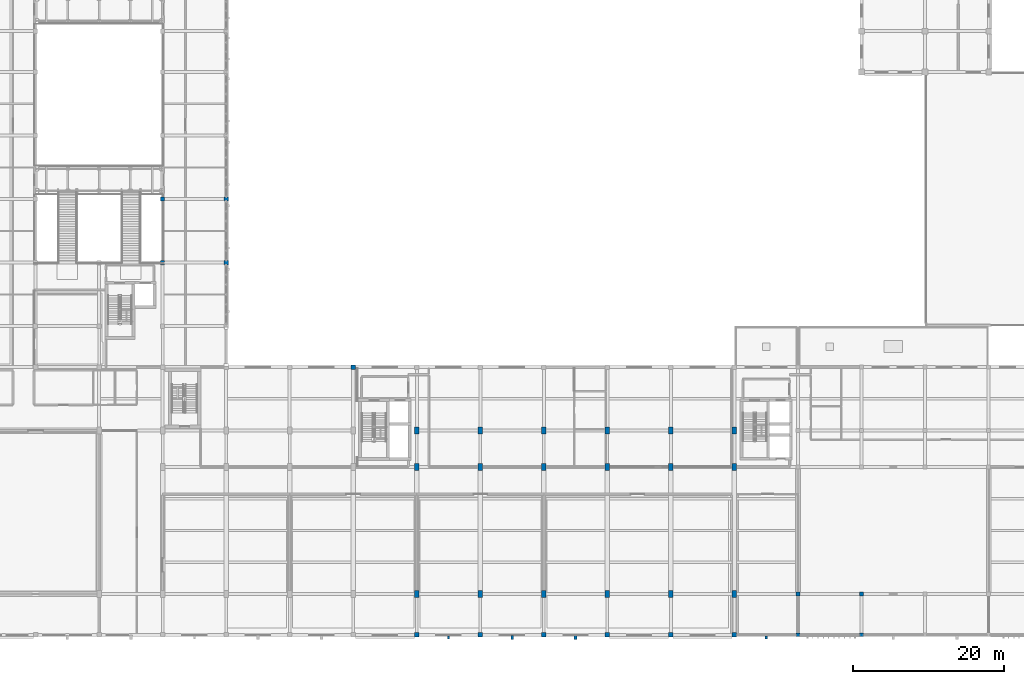
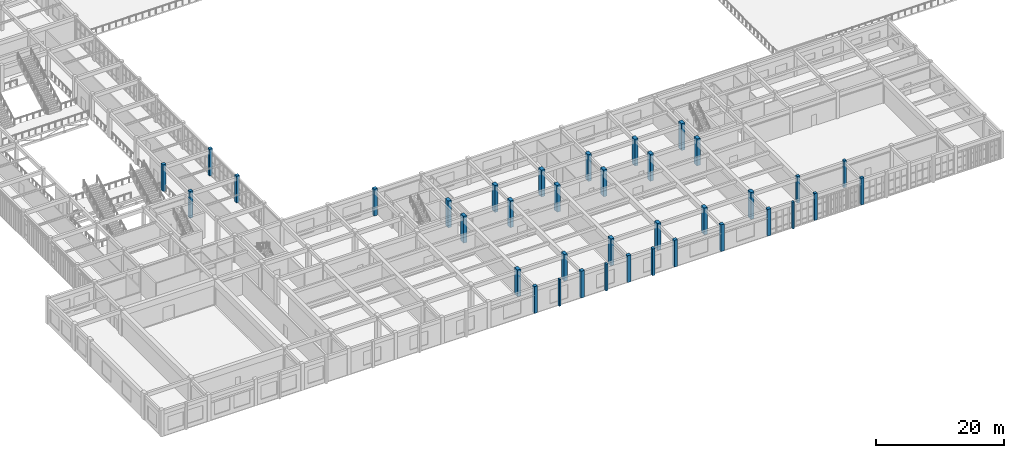
# One storey, part 8 of 93: 37 columns.
"""IFC4 building model written with IfcOpenShell, lengths in metres."""

from ifc_helpers import new_model, si_unit, direction, frame, origin, origin_2d, place, context, subcontext, project, spatial, rectangle, extrude, material, material_profile, profile_set, type_object, element, save


model = new_model("IFC4")

# Units and contexts
model_context = context("Model", 3, precision=1e-05, world=origin(), true_north=direction((0.0, 1.0)))
body_context = subcontext(model_context, "Body", "Model", "MODEL_VIEW")
ifc_project = project(units=[si_unit("LENGTHUNIT", "METRE"), si_unit("AREAUNIT", "SQUARE_METRE"), si_unit("VOLUMEUNIT", "CUBIC_METRE"), si_unit("PLANEANGLEUNIT", "RADIAN"), si_unit("MASSUNIT", "GRAM", prefix="KILO")], contexts=[model_context])

# Site, building, storey
site_placement = place(None, origin())
site = spatial("IfcSite", under=ifc_project, at=site_placement, CompositionType="ELEMENT")
building_placement = place(site_placement, origin())
building = spatial("IfcBuilding", under=site, at=building_placement, Name="Krzemoval Escarpment Law Courts", CompositionType="ELEMENT")
storey_placement = place(building_placement, frame((0.0, 0.0, 10.199951171875)))
storey = spatial("IfcBuildingStorey", under=building, at=storey_placement, Name="L02", CompositionType="ELEMENT", Elevation=10.199951171875)

# Columns
ifc_material_1 = material(Name="Concrete C40/50", Category="concrete")
ifc_material_profile_1 = material_profile(ifc_material_1, rectangle(XDim=0.5, YDim=0.5, at=origin_2d()), Name="RC 500x500")
ifc_profile_set_1 = profile_set([ifc_material_profile_1], Name="Concrete C40/50")
column_type_1 = type_object("IfcColumnType", Name="COL-RC-500", PredefinedType="COLUMN", material=ifc_profile_set_1)
for number, where, z_axis, x_axis, name in (
    (1, (117.60009765625, 0.0, 0.0), (0.0, 0.0, 1.0), (1.0, 0.0, 0.0), "Column FC-L02-0924"),
    (2, (117.60009765625, 5.39990234375, 0.0), (0.0, 0.0, 1.0), (1.0, 0.0, 0.0), "Column FC-L02-0925"),
    (3, (126.0, 0.0, 0.0), (0.0, 0.0, 1.0), (1.0, 0.0, 0.0), "Column FC-L02-0929"),
    (4, (126.0, 5.39990234375, 0.0), (0.0, 0.0, 1.0), (1.0, 0.0, 0.0), "Column FC-L02-0930"),
):
    element("IfcColumn", number, at=place(storey_placement, frame(where, z_axis=z_axis, x_axis=x_axis)), inside=storey, type_object=column_type_1, Name=name, PredefinedType="COLUMN", context=body_context, shape_type="SweptSolid", body=[
        extrude(rectangle(XDim=0.5, YDim=0.5, at=origin_2d()), origin(), (0.0, 0.0, 1.0), 5.10009765625),
    ])
ifc_material_2 = material(Name="Concrete C40/50", Category="concrete")
ifc_material_profile_2 = material_profile(ifc_material_2, rectangle(XDim=0.550048828125, YDim=0.550048828125, at=origin_2d()), Name="RC 550x550")
ifc_profile_set_2 = profile_set([ifc_material_profile_2], Name="Concrete C40/50")
column_type_2 = type_object("IfcColumnType", Name="COL-RC-550", PredefinedType="COLUMN", material=ifc_profile_set_2)
for number, where, z_axis, x_axis, name in (
    (5, (33.60009765625, 49.199951171875, 0.0), (0.0, 0.0, 1.0), (1.0, 0.0, 0.0), "Column FC-L02-0858"),
    (6, (33.60009765625, 57.60009765625, 0.0), (0.0, 0.0, 1.0), (1.0, 0.0, 0.0), "Column FC-L02-0859"),
    (7, (42.0, 49.199951171875, 0.0), (0.0, 0.0, 1.0), (1.0, 0.0, 0.0), "Column FC-L02-0874"),
    (8, (42.0, 57.60009765625, 0.0), (0.0, 0.0, 1.0), (1.0, 0.0, 0.0), "Column FC-L02-0875"),
):
    element("IfcColumn", number, at=place(storey_placement, frame(where, z_axis=z_axis, x_axis=x_axis)), inside=storey, type_object=column_type_2, Name=name, PredefinedType="COLUMN", context=body_context, shape_type="SweptSolid", body=[
        extrude(rectangle(XDim=0.550048828125, YDim=0.550048828125, at=origin_2d()), origin(), (0.0, 0.0, 1.0), 5.10009765625),
    ])
ifc_material_3 = material(Name="Concrete C40/50", Category="concrete")
ifc_material_profile_3 = material_profile(ifc_material_3, rectangle(XDim=0.60009765625, YDim=0.60009765625, at=origin_2d()), Name="RC 600x600")
ifc_profile_set_3 = profile_set([ifc_material_profile_3], Name="Concrete C40/50")
column_type_3 = type_object("IfcColumnType", Name="COL-RC-600", PredefinedType="COLUMN", material=ifc_profile_set_3)
for number, where, z_axis, x_axis, name in (
    (9, (58.800048828125, 35.39990234375, 0.0), (0.0, 0.0, 1.0), (1.0, 0.0, 0.0), "Column FC-L02-0893"),
    (10, (67.199951171875, 0.0, 0.0), (0.0, 0.0, 1.0), (1.0, 0.0, 0.0), "Column FC-L02-0894"),
    (11, (75.60009765625, 0.0, 0.0), (0.0, 0.0, 1.0), (1.0, 0.0, 0.0), "Column FC-L02-0899"),
    (12, (84.0, 0.0, 0.0), (0.0, 0.0, 1.0), (1.0, 0.0, 0.0), "Column FC-L02-0904"),
    (13, (92.39990234375, 0.0, 0.0), (0.0, 0.0, 1.0), (1.0, 0.0, 0.0), "Column FC-L02-0909"),
    (14, (100.800048828125, 0.0, 0.0), (0.0, 0.0, 1.0), (1.0, 0.0, 0.0), "Column FC-L02-0914"),
    (15, (109.199951171875, 0.0, 0.0), (0.0, 0.0, 1.0), (1.0, 0.0, 0.0), "Column FC-L02-0919"),
):
    element("IfcColumn", number, at=place(storey_placement, frame(where, z_axis=z_axis, x_axis=x_axis)), inside=storey, type_object=column_type_3, Name=name, PredefinedType="COLUMN", context=body_context, shape_type="SweptSolid", body=[
        extrude(rectangle(XDim=0.60009765625, YDim=0.60009765625, at=origin_2d()), origin(), (0.0, 0.0, 1.0), 5.10009765625),
    ])
ifc_material_4 = material(Name="Concrete C50/60", Category="concrete")
ifc_material_profile_4 = material_profile(ifc_material_4, rectangle(XDim=0.60009765625, YDim=0.89990234375, at=origin_2d()), Name="RC 600x900")
ifc_profile_set_4 = profile_set([ifc_material_profile_4], Name="Concrete C50/60")
column_type_4 = type_object("IfcColumnType", Name="COL-RC-600x900", PredefinedType="COLUMN", material=ifc_profile_set_4)
for number, where, z_axis, x_axis, name in (
    (16, (67.199951171875, 5.39990234375, 0.0), (0.0, 0.0, 1.0), (1.0, 0.0, 0.0), "Column FC-L02-0895"),
    (17, (67.199951171875, 22.199951171875, 0.0), (0.0, 0.0, 1.0), (1.0, 0.0, 0.0), "Column FC-L02-0896"),
    (18, (67.199951171875, 27.0, 0.0), (0.0, 0.0, 1.0), (1.0, 0.0, 0.0), "Column FC-L02-0897"),
    (19, (75.60009765625, 5.39990234375, 0.0), (0.0, 0.0, 1.0), (1.0, 0.0, 0.0), "Column FC-L02-0900"),
    (20, (75.60009765625, 22.199951171875, 0.0), (0.0, 0.0, 1.0), (1.0, 0.0, 0.0), "Column FC-L02-0901"),
    (21, (75.60009765625, 27.0, 0.0), (0.0, 0.0, 1.0), (1.0, 0.0, 0.0), "Column FC-L02-0902"),
    (22, (84.0, 5.39990234375, 0.0), (0.0, 0.0, 1.0), (1.0, 0.0, 0.0), "Column FC-L02-0905"),
    (23, (84.0, 22.199951171875, 0.0), (0.0, 0.0, 1.0), (1.0, 0.0, 0.0), "Column FC-L02-0906"),
    (24, (84.0, 27.0, 0.0), (0.0, 0.0, 1.0), (1.0, 0.0, 0.0), "Column FC-L02-0907"),
    (25, (92.39990234375, 5.39990234375, 0.0), (0.0, 0.0, 1.0), (1.0, 0.0, 0.0), "Column FC-L02-0910"),
    (26, (92.39990234375, 22.199951171875, 0.0), (0.0, 0.0, 1.0), (1.0, 0.0, 0.0), "Column FC-L02-0911"),
    (27, (92.39990234375, 27.0, 0.0), (0.0, 0.0, 1.0), (1.0, 0.0, 0.0), "Column FC-L02-0912"),
    (28, (100.800048828125, 5.39990234375, 0.0), (0.0, 0.0, 1.0), (1.0, 0.0, 0.0), "Column FC-L02-0915"),
    (29, (100.800048828125, 22.199951171875, 0.0), (0.0, 0.0, 1.0), (1.0, 0.0, 0.0), "Column FC-L02-0916"),
    (30, (100.800048828125, 27.0, 0.0), (0.0, 0.0, 1.0), (1.0, 0.0, 0.0), "Column FC-L02-0917"),
    (31, (109.199951171875, 5.39990234375, 0.0), (0.0, 0.0, 1.0), (1.0, 0.0, 0.0), "Column FC-L02-0920"),
    (32, (109.199951171875, 22.199951171875, 0.0), (0.0, 0.0, 1.0), (1.0, 0.0, 0.0), "Column FC-L02-0921"),
    (33, (109.199951171875, 27.0, 0.0), (0.0, 0.0, 1.0), (1.0, 0.0, 0.0), "Column FC-L02-0922"),
):
    element("IfcColumn", number, at=place(storey_placement, frame(where, z_axis=z_axis, x_axis=x_axis)), inside=storey, type_object=column_type_4, Name=name, PredefinedType="COLUMN", context=body_context, shape_type="SweptSolid", body=[
        extrude(rectangle(XDim=0.60009765625, YDim=0.89990234375, at=origin_2d()), origin(), (0.0, 0.0, 1.0), 5.10009765625),
    ])
ifc_material_5 = material(Name="Precast concrete C40/50", Category="concrete")
ifc_material_profile_5 = material_profile(ifc_material_5, rectangle(XDim=0.300048828125, YDim=0.449951171875, at=origin_2d()), Name="PIL 300x450")
ifc_profile_set_5 = profile_set([ifc_material_profile_5], Name="Precast concrete C40/50")
column_type_5 = type_object("IfcColumnType", Name="PIL-PC-300x450", PredefinedType="PILASTER", material=ifc_profile_set_5)
for number, where, z_axis, x_axis, name in (
    (34, (71.39990234375, -0.35009765625, 0.0), (0.0, 0.0, 1.0), (1.0, 0.0, 0.0), "Facade Pilaster PIL-L02-034"),
    (35, (113.39990234375, -0.35009765625, 0.0), (0.0, 0.0, 1.0), (1.0, 0.0, 0.0), "Facade Pilaster PIL-L02-049"),
):
    element("IfcColumn", number, at=place(storey_placement, frame(where, z_axis=z_axis, x_axis=x_axis)), inside=storey, type_object=column_type_5, Name=name, PredefinedType="PILASTER", context=body_context, shape_type="SweptSolid", body=[
        extrude(rectangle(XDim=0.300048828125, YDim=0.449951171875, at=origin_2d()), origin(), (0.0, 0.0, 1.0), 5.10009765625),
    ])
ifc_material_6 = material(Name="Precast concrete C40/50", Category="concrete")
ifc_material_profile_6 = material_profile(ifc_material_6, rectangle(XDim=0.35009765625, YDim=0.5, at=origin_2d()), Name="PIL 350x500")
ifc_profile_set_6 = profile_set([ifc_material_profile_6], Name="Precast concrete C40/50")
column_type_6 = type_object("IfcColumnType", Name="PIL-PC-350x500", PredefinedType="PILASTER", material=ifc_profile_set_6)
column_1_placement = place(storey_placement, frame((79.800048828125, -0.35009765625, 0.0), z_axis=(0.0, 0.0, 1.0), x_axis=(1.0, 0.0, 0.0)))
element("IfcColumn", 36, at=column_1_placement, inside=storey, type_object=column_type_6, Name="Facade Pilaster PIL-L02-039", PredefinedType="PILASTER", context=body_context, shape_type="SweptSolid", body=[
    extrude(rectangle(XDim=0.35009765625, YDim=0.5, at=origin_2d()), origin(), (0.0, 0.0, 1.0), 5.10009765625),
])
ifc_material_7 = material(Name="Precast concrete C40/50", Category="concrete")
ifc_material_profile_7 = material_profile(ifc_material_7, rectangle(XDim=0.39990234375, YDim=0.60009765625, at=origin_2d()), Name="PIL 400x600")
ifc_profile_set_7 = profile_set([ifc_material_profile_7], Name="Precast concrete C40/50")
column_type_7 = type_object("IfcColumnType", Name="PIL-PC-400x600", PredefinedType="PILASTER", material=ifc_profile_set_7)
column_2_placement = place(storey_placement, frame((88.199951171875, -0.35009765625, 0.0), z_axis=(0.0, 0.0, 1.0), x_axis=(1.0, 0.0, 0.0)))
element("IfcColumn", 37, at=column_2_placement, inside=storey, type_object=column_type_7, Name="Facade Pilaster PIL-L02-044", PredefinedType="PILASTER", context=body_context, shape_type="SweptSolid", body=[
    extrude(rectangle(XDim=0.39990234375, YDim=0.60009765625, at=origin_2d()), origin(), (0.0, 0.0, 1.0), 5.10009765625),
])

save(model, "model.ifc")
